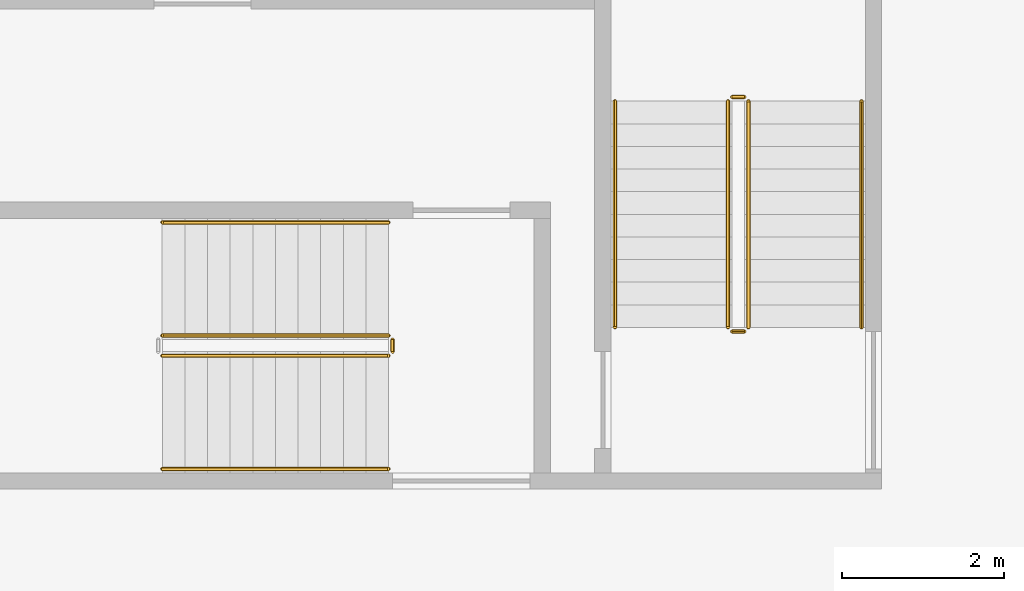
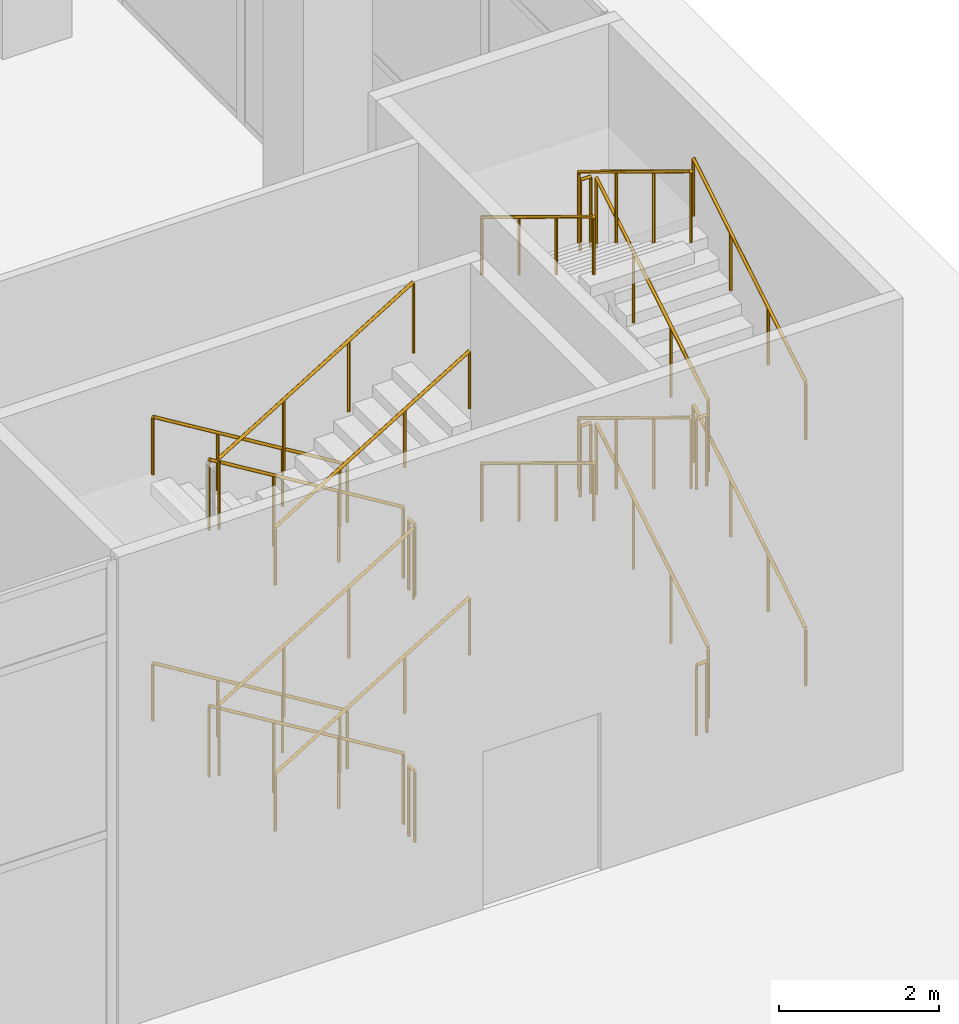
# One storey, part 49 of 52: 22 railings.
"""IFC4 building model written with IfcOpenShell, lengths in metres."""

from ifc_helpers import new_model, si_unit, direction, frame, origin, origin_2d, place, context, subcontext, project, spatial, circle, extrude, source, transform, mapped, material, type_object, element, save


model = new_model("IFC4")

# Units and contexts
model_context = context("Model", 3, precision=1e-05, world=origin(), true_north=direction((0.0, 1.0)))
body_context = subcontext(model_context, "Body", "Model", "MODEL_VIEW")
ifc_project = project(units=[si_unit("LENGTHUNIT", "METRE"), si_unit("AREAUNIT", "SQUARE_METRE"), si_unit("VOLUMEUNIT", "CUBIC_METRE"), si_unit("PLANEANGLEUNIT", "RADIAN"), si_unit("MASSUNIT", "GRAM", prefix="KILO")], contexts=[model_context])

# Site, building, storey
site_placement = place(None, origin())
site = spatial("IfcSite", under=ifc_project, at=site_placement, CompositionType="ELEMENT")
building_placement = place(site_placement, origin())
building = spatial("IfcBuilding", under=site, at=building_placement, Name="Khomas Fold Tower", CompositionType="ELEMENT")
storey_placement = place(building_placement, origin())
storey = spatial("IfcBuildingStorey", under=building, at=storey_placement, Name="L00", CompositionType="ELEMENT", Elevation=0.0)

# Railings
ifc_material_1 = material(Name="Steel balustrade", Category="steel")
railing_type_1 = type_object("IfcRailingType", Name="Stair guard", PredefinedType="GUARDRAIL", material=ifc_material_1)
shared_shape_1 = source(origin(), body_context, "Body", "SweptSolid", [
    extrude(circle(Radius=0.02392578125, at=origin_2d()), frame((0.0, 0.0, 1.076171875), z_axis=(0.854149651119, 0.0, 0.520027281489), x_axis=(0.0, 1.0, 0.0)), (0.0, 0.0, 1.0), 3.27783203125),
    extrude(circle(Radius=0.02099609375, at=origin_2d()), origin(), (0.0, 0.0, 1.0), 1.052001953125),
    extrude(circle(Radius=0.02099609375, at=origin_2d()), frame((0.933349609375, 0.0, 0.568115234375)), (0.0, 0.0, 1.0), 1.052001953125),
    extrude(circle(Radius=0.02099609375, at=origin_2d()), frame((1.866455078125, 0.0, 1.136474609375)), (0.0, 0.0, 1.0), 1.052001953125),
    extrude(circle(Radius=0.02099609375, at=origin_2d()), frame((2.7998046875, 0.0, 1.70458984375)), (0.0, 0.0, 1.0), 1.052001953125),
])
for number, where, name in (
    (1, (72.10009765625, 1.64990234375, 2.04541015625), "L00 PS3 stair guard 3"),
    (2, (72.10009765625, 1.64990234375, 5.79541015625), "L00 PS3 stair guard 7"),
):
    element("IfcRailing", number, at=place(storey_placement, frame(where)), inside=storey, type_object=railing_type_1, Name=name, PredefinedType="GUARDRAIL", context=body_context, shape_type="MappedRepresentation", body=[
        mapped(shared_shape_1, transform((0.0, 0.0, 0.0))),
    ])
shared_shape_2 = source(origin(), body_context, "Body", "SweptSolid", [
    extrude(circle(Radius=0.02392578125, at=origin_2d()), frame((0.0, 0.0, 1.076171875), z_axis=(-0.854149651119, 0.0, 0.520027281489), x_axis=(0.0, -1.0, 0.0)), (0.0, 0.0, 1.0), 3.27783203125),
    extrude(circle(Radius=0.02099609375, at=origin_2d()), origin(), (0.0, 0.0, 1.0), 1.052001953125),
    extrude(circle(Radius=0.02099609375, at=origin_2d()), frame((-0.933349609375, 0.0, 0.568115234375)), (0.0, 0.0, 1.0), 1.052001953125),
    extrude(circle(Radius=0.02099609375, at=origin_2d()), frame((-1.866455078125, 0.0, 1.136474609375)), (0.0, 0.0, 1.0), 1.052001953125),
    extrude(circle(Radius=0.02099609375, at=origin_2d()), frame((-2.7998046875, 0.0, 1.70458984375)), (0.0, 0.0, 1.0), 1.052001953125),
])
for number, where, name in (
    (3, (74.89990234375, 1.89990234375, 0.17041015625), "L00 PS3 stair guard 1"),
    (4, (74.89990234375, 1.89990234375, 3.92041015625), "L00 PS3 stair guard 5"),
):
    element("IfcRailing", number, at=place(storey_placement, frame(where)), inside=storey, type_object=railing_type_1, Name=name, PredefinedType="GUARDRAIL", context=body_context, shape_type="MappedRepresentation", body=[
        mapped(shared_shape_2, transform((0.0, 0.0, 0.0))),
    ])
ifc_material_2 = material(Name="Steel handrail", Category="steel")
railing_type_2 = type_object("IfcRailingType", Name="Stair handrail", PredefinedType="HANDRAIL", material=ifc_material_2)
shared_shape_3 = source(origin(), body_context, "Body", "SweptSolid", [
    extrude(circle(Radius=0.02392578125, at=origin_2d()), frame((0.0, 0.0, 0.8759765625), z_axis=(0.854149651119, 0.0, 0.520027281489), x_axis=(0.0, 1.0, 0.0)), (0.0, 0.0, 1.0), 3.27783203125),
    extrude(circle(Radius=0.02099609375, at=origin_2d()), origin(), (0.0, 0.0, 1.0), 0.851806640625),
    extrude(circle(Radius=0.02099609375, at=origin_2d()), frame((0.933349609375, 0.0, 0.568115234375)), (0.0, 0.0, 1.0), 0.851806640625),
    extrude(circle(Radius=0.02099609375, at=origin_2d()), frame((1.866455078125, 0.0, 1.136474609375)), (0.0, 0.0, 1.0), 0.851806640625),
    extrude(circle(Radius=0.02099609375, at=origin_2d()), frame((2.7998046875, 0.0, 1.70458984375)), (0.0, 0.0, 1.0), 0.851806640625),
])
for number, where, name in (
    (5, (72.10009765625, 0.25, 2.04541015625), "L00 PS3 stair handrail 2"),
    (6, (72.10009765625, 0.25, 5.79541015625), "L00 PS3 stair handrail 4"),
):
    element("IfcRailing", number, at=place(storey_placement, frame(where)), inside=storey, type_object=railing_type_2, Name=name, PredefinedType="HANDRAIL", context=body_context, shape_type="MappedRepresentation", body=[
        mapped(shared_shape_3, transform((0.0, 0.0, 0.0))),
    ])
shared_shape_4 = source(origin(), body_context, "Body", "SweptSolid", [
    extrude(circle(Radius=0.02392578125, at=origin_2d()), frame((0.0, 0.0, 0.8759765625), z_axis=(-0.854149651119, 0.0, 0.520027281489), x_axis=(0.0, -1.0, 0.0)), (0.0, 0.0, 1.0), 3.27783203125),
    extrude(circle(Radius=0.02099609375, at=origin_2d()), origin(), (0.0, 0.0, 1.0), 0.851806640625),
    extrude(circle(Radius=0.02099609375, at=origin_2d()), frame((-0.933349609375, 0.0, 0.568115234375)), (0.0, 0.0, 1.0), 0.851806640625),
    extrude(circle(Radius=0.02099609375, at=origin_2d()), frame((-1.866455078125, 0.0, 1.136474609375)), (0.0, 0.0, 1.0), 0.851806640625),
    extrude(circle(Radius=0.02099609375, at=origin_2d()), frame((-2.7998046875, 0.0, 1.70458984375)), (0.0, 0.0, 1.0), 0.851806640625),
])
for number, where, name in (
    (7, (74.89990234375, 3.300048828125, 0.17041015625), "L00 PS3 stair handrail 1"),
    (8, (74.89990234375, 3.300048828125, 3.92041015625), "L00 PS3 stair handrail 3"),
):
    element("IfcRailing", number, at=place(storey_placement, frame(where)), inside=storey, type_object=railing_type_2, Name=name, PredefinedType="HANDRAIL", context=body_context, shape_type="MappedRepresentation", body=[
        mapped(shared_shape_4, transform((0.0, 0.0, 0.0))),
    ])
shared_shape_5 = source(origin(), body_context, "Body", "SweptSolid", [
    extrude(circle(Radius=0.02392578125, at=origin_2d()), frame((0.0, 0.0, 1.076171875), z_axis=(-1.0, 0.0, 0.0), x_axis=(0.0, -1.0, 0.0)), (0.0, 0.0, 1.0), 0.150146484375),
    extrude(circle(Radius=0.02099609375, at=origin_2d()), origin(), (0.0, 0.0, 1.0), 1.052001953125),
    extrude(circle(Radius=0.02099609375, at=origin_2d()), frame((-0.150146484375, 0.0, 0.0)), (0.0, 0.0, 1.0), 1.052001953125),
])
for number, where, name in (
    (9, (79.300048828125, 4.85009765625, 1.875), "L00 PS4 stair guard 2"),
    (10, (79.300048828125, 1.949951171875, 3.75), "L00 PS4 stair guard 4"),
    (11, (79.300048828125, 4.85009765625, 5.625), "L00 PS4 stair guard 6"),
    (12, (79.300048828125, 1.949951171875, 0.0), "L00 PS4 stair guard 8"),
):
    element("IfcRailing", number, at=place(storey_placement, frame(where)), inside=storey, type_object=railing_type_1, Name=name, PredefinedType="GUARDRAIL", context=body_context, shape_type="MappedRepresentation", body=[
        mapped(shared_shape_5, transform((0.0, 0.0, 0.0))),
    ])
shared_shape_6 = source(origin(), body_context, "Body", "SweptSolid", [
    extrude(circle(Radius=0.02392578125, at=origin_2d()), frame((0.0, 0.0, 1.076171875), z_axis=(0.0, -1.0, 0.0), x_axis=(1.0, 0.0, 0.0)), (0.0, 0.0, 1.0), 0.150146484375),
    extrude(circle(Radius=0.02099609375, at=origin_2d()), origin(), (0.0, 0.0, 1.0), 1.052001953125),
    extrude(circle(Radius=0.02099609375, at=origin_2d()), frame((0.0, -0.150146484375, 0.0)), (0.0, 0.0, 1.0), 1.052001953125),
])
for number, where, name in (
    (13, (74.949951171875, 1.85009765625, 3.75), "L00 PS3 stair guard 4"),
    (14, (74.949951171875, 1.85009765625, 0.0), "L00 PS3 stair guard 8"),
):
    element("IfcRailing", number, at=place(storey_placement, frame(where)), inside=storey, type_object=railing_type_1, Name=name, PredefinedType="GUARDRAIL", context=body_context, shape_type="MappedRepresentation", body=[
        mapped(shared_shape_6, transform((0.0, 0.0, 0.0))),
    ])
shared_shape_7 = source(origin(), body_context, "Body", "SweptSolid", [
    extrude(circle(Radius=0.02392578125, at=origin_2d()), frame((0.0, 0.0, 1.076171875), z_axis=(0.0, 0.854169791009, 0.51999420009), x_axis=(-1.0, 0.0, 0.0)), (0.0, 0.0, 1.0), 3.278076171875),
    extrude(circle(Radius=0.02099609375, at=origin_2d()), origin(), (0.0, 0.0, 1.0), 1.052001953125),
    extrude(circle(Radius=0.02099609375, at=origin_2d()), frame((0.0, 0.933349609375, 0.568115234375)), (0.0, 0.0, 1.0), 1.052001953125),
    extrude(circle(Radius=0.02099609375, at=origin_2d()), frame((0.0, 1.86669921875, 1.136474609375)), (0.0, 0.0, 1.0), 1.052001953125),
    extrude(circle(Radius=0.02099609375, at=origin_2d()), frame((0.0, 2.800048828125, 1.70458984375)), (0.0, 0.0, 1.0), 1.052001953125),
])
for number, where, name in (
    (15, (79.35009765625, 2.0, 0.17041015625), "L00 PS4 stair guard 1"),
    (16, (79.35009765625, 2.0, 3.92041015625), "L00 PS4 stair guard 5"),
):
    element("IfcRailing", number, at=place(storey_placement, frame(where)), inside=storey, type_object=railing_type_1, Name=name, PredefinedType="GUARDRAIL", context=body_context, shape_type="MappedRepresentation", body=[
        mapped(shared_shape_7, transform((0.0, 0.0, 0.0))),
    ])
shared_shape_8 = source(origin(), body_context, "Body", "SweptSolid", [
    extrude(circle(Radius=0.02392578125, at=origin_2d()), frame((0.0, 0.0, 1.076171875), z_axis=(0.0, -0.854169791009, 0.51999420009), x_axis=(1.0, 0.0, 0.0)), (0.0, 0.0, 1.0), 3.278076171875),
    extrude(circle(Radius=0.02099609375, at=origin_2d()), origin(), (0.0, 0.0, 1.0), 1.052001953125),
    extrude(circle(Radius=0.02099609375, at=origin_2d()), frame((0.0, -0.933349609375, 0.568115234375)), (0.0, 0.0, 1.0), 1.052001953125),
    extrude(circle(Radius=0.02099609375, at=origin_2d()), frame((0.0, -1.86669921875, 1.136474609375)), (0.0, 0.0, 1.0), 1.052001953125),
    extrude(circle(Radius=0.02099609375, at=origin_2d()), frame((0.0, -2.800048828125, 1.70458984375)), (0.0, 0.0, 1.0), 1.052001953125),
])
for number, where, name in (
    (17, (79.10009765625, 4.800048828125, 2.04541015625), "L00 PS4 stair guard 3"),
    (18, (79.10009765625, 4.800048828125, 5.79541015625), "L00 PS4 stair guard 7"),
):
    element("IfcRailing", number, at=place(storey_placement, frame(where)), inside=storey, type_object=railing_type_1, Name=name, PredefinedType="GUARDRAIL", context=body_context, shape_type="MappedRepresentation", body=[
        mapped(shared_shape_8, transform((0.0, 0.0, 0.0))),
    ])
shared_shape_9 = source(origin(), body_context, "Body", "SweptSolid", [
    extrude(circle(Radius=0.02392578125, at=origin_2d()), frame((0.0, 0.0, 0.8759765625), z_axis=(0.0, 0.854169791009, 0.51999420009), x_axis=(-1.0, 0.0, 0.0)), (0.0, 0.0, 1.0), 3.278076171875),
    extrude(circle(Radius=0.02099609375, at=origin_2d()), origin(), (0.0, 0.0, 1.0), 0.851806640625),
    extrude(circle(Radius=0.02099609375, at=origin_2d()), frame((0.0, 0.933349609375, 0.568115234375)), (0.0, 0.0, 1.0), 0.851806640625),
    extrude(circle(Radius=0.02099609375, at=origin_2d()), frame((0.0, 1.86669921875, 1.136474609375)), (0.0, 0.0, 1.0), 0.851806640625),
    extrude(circle(Radius=0.02099609375, at=origin_2d()), frame((0.0, 2.800048828125, 1.70458984375)), (0.0, 0.0, 1.0), 0.851806640625),
])
for number, where, name in (
    (19, (80.75, 2.0, 0.17041015625), "L00 PS4 stair handrail 1"),
    (20, (80.75, 2.0, 3.92041015625), "L00 PS4 stair handrail 3"),
):
    element("IfcRailing", number, at=place(storey_placement, frame(where)), inside=storey, type_object=railing_type_2, Name=name, PredefinedType="HANDRAIL", context=body_context, shape_type="MappedRepresentation", body=[
        mapped(shared_shape_9, transform((0.0, 0.0, 0.0))),
    ])
shared_shape_10 = source(origin(), body_context, "Body", "SweptSolid", [
    extrude(circle(Radius=0.02392578125, at=origin_2d()), frame((0.0, 0.0, 0.8759765625), z_axis=(0.0, -0.854169791009, 0.51999420009), x_axis=(1.0, 0.0, 0.0)), (0.0, 0.0, 1.0), 3.278076171875),
    extrude(circle(Radius=0.02099609375, at=origin_2d()), origin(), (0.0, 0.0, 1.0), 0.851806640625),
    extrude(circle(Radius=0.02099609375, at=origin_2d()), frame((0.0, -0.933349609375, 0.568115234375)), (0.0, 0.0, 1.0), 0.851806640625),
    extrude(circle(Radius=0.02099609375, at=origin_2d()), frame((0.0, -1.86669921875, 1.136474609375)), (0.0, 0.0, 1.0), 0.851806640625),
    extrude(circle(Radius=0.02099609375, at=origin_2d()), frame((0.0, -2.800048828125, 1.70458984375)), (0.0, 0.0, 1.0), 0.851806640625),
])
for number, where, name in (
    (21, (77.699951171875, 4.800048828125, 2.04541015625), "L00 PS4 stair handrail 2"),
    (22, (77.699951171875, 4.800048828125, 5.79541015625), "L00 PS4 stair handrail 4"),
):
    element("IfcRailing", number, at=place(storey_placement, frame(where)), inside=storey, type_object=railing_type_2, Name=name, PredefinedType="HANDRAIL", context=body_context, shape_type="MappedRepresentation", body=[
        mapped(shared_shape_10, transform((0.0, 0.0, 0.0))),
    ])

save(model, "model.ifc")
